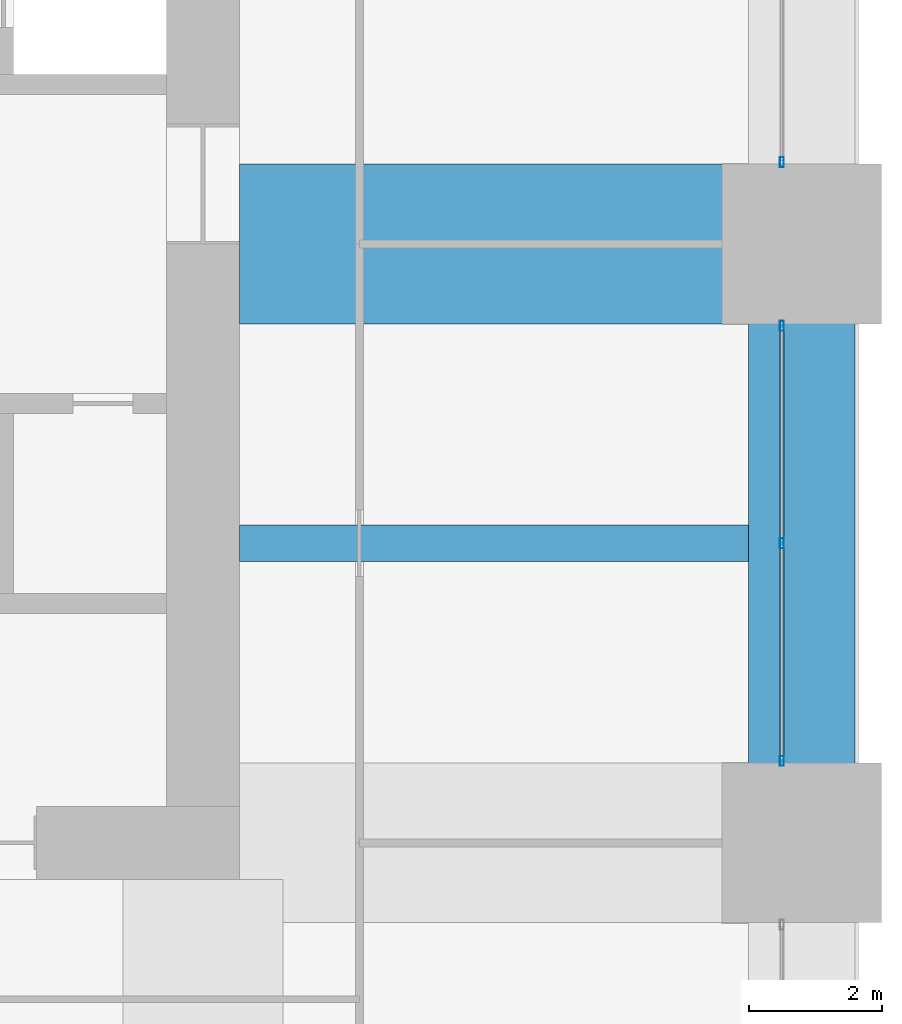
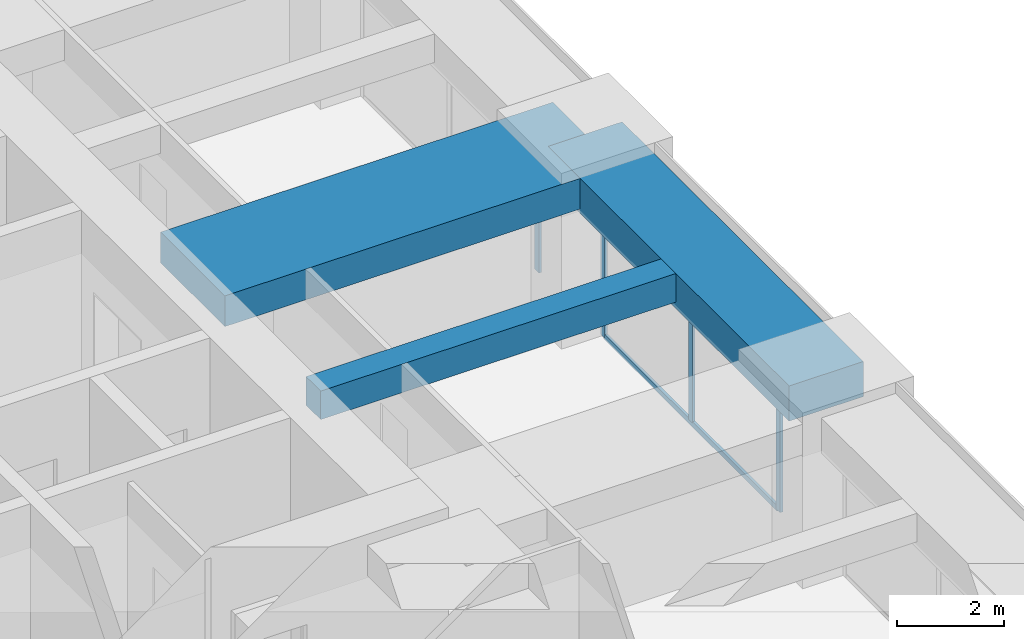
# One storey, part 18 of 35: 5 members, 3 beams, 2 elements without a shape of their own.
"""IFC4 building model written with IfcOpenShell, lengths in metres."""

from ifc_helpers import new_model, si_unit, direction, frame, origin, origin_2d, place, context, subcontext, project, spatial, rectangle, hollow_rectangle, extrude, material, material_profile, profile_set, type_object, element, aggregate, save


model = new_model("IFC4")

# Units and contexts
model_context = context("Model", 3, precision=1e-05, world=origin(), true_north=direction((0.0, 1.0)))
body_context = subcontext(model_context, "Body", "Model", "MODEL_VIEW")
ifc_project = project(units=[si_unit("LENGTHUNIT", "METRE"), si_unit("AREAUNIT", "SQUARE_METRE"), si_unit("VOLUMEUNIT", "CUBIC_METRE"), si_unit("PLANEANGLEUNIT", "RADIAN"), si_unit("MASSUNIT", "GRAM", prefix="KILO")], contexts=[model_context])

# Site, building, storey
site_placement = place(None, origin())
site = spatial("IfcSite", under=ifc_project, at=site_placement, CompositionType="ELEMENT")
building_placement = place(site_placement, origin())
building = spatial("IfcBuilding", under=site, at=building_placement, Name="Zorevar Civic Tower", CompositionType="ELEMENT")
storey_placement = place(building_placement, frame((0.0, 0.0, 218.199951171875)))
storey = spatial("IfcBuildingStorey", under=building, at=storey_placement, Name="L53", CompositionType="ELEMENT", Elevation=218.199951171875)

# Beams
ifc_material_1 = material(Name="Concrete C50/60", Category="concrete")
ifc_material_profile_1 = material_profile(ifc_material_1, rectangle(XDim=2.39990234375, YDim=0.699951171875, at=origin_2d()), Name="RC 2400x700")
ifc_profile_set_1 = profile_set([ifc_material_profile_1], Name="Concrete C50/60")
beam_type_1 = type_object("IfcBeamType", Name="Beam RC 2400x700", PredefinedType="BEAM", material=ifc_profile_set_1)
beam_1_placement = place(storey_placement, frame((45.550048828125, 27.0, 3.400146484375), z_axis=(1.0, 0.0, 0.0), x_axis=(0.0, 1.0, 0.0)))
element("IfcBeam", 1, at=beam_1_placement, inside=storey, type_object=beam_type_1, Name="Girder L54", PredefinedType="BEAM", context=body_context, shape_type="SweptSolid", body=[
    extrude(rectangle(XDim=2.39990234375, YDim=0.699951171875, at=origin_2d()), origin(), (0.0, 0.0, 1.0), 8.449951171875),
])
ifc_material_2 = material(Name="Concrete C50/60", Category="concrete")
ifc_material_profile_2 = material_profile(ifc_material_2, rectangle(XDim=0.550048828125, YDim=0.64990234375, at=origin_2d()), Name="RC 550x650")
ifc_profile_set_2 = profile_set([ifc_material_profile_2], Name="Concrete C50/60")
beam_type_2 = type_object("IfcBeamType", Name="Beam RC 550x650", PredefinedType="BEAM", material=ifc_profile_set_2)
beam_2_placement = place(storey_placement, frame((45.550048828125, 22.5, 3.425048828125), z_axis=(1.0, 0.0, 0.0), x_axis=(0.0, 1.0, 0.0)))
element("IfcBeam", 2, at=beam_2_placement, inside=storey, type_object=beam_type_2, Name="Secondary beam L54", PredefinedType="BEAM", context=body_context, shape_type="SweptSolid", body=[
    extrude(rectangle(XDim=0.550048828125, YDim=0.64990234375, at=origin_2d()), origin(), (0.0, 0.0, 1.0), 7.64990234375),
])

# Curtain wall, members
ifc_material_3 = material(Name="Dark grey solar-control glass in black aluminium frame", Category="aluminium")
curtain_wall_type = type_object("IfcCurtainWallType", Name="Curtain wall CW4 high zone", PredefinedType="NOTDEFINED", material=ifc_material_3)
curtain_wall_1_placement = place(storey_placement, origin())
curtain_wall_1 = element("IfcCurtainWall", 3, at=curtain_wall_1_placement, inside=storey, type_object=curtain_wall_type, Name="CW4 L53", PredefinedType="NOTDEFINED")
ifc_material_4 = material(Name="Aluminium, black anodised", Category="aluminium")
ifc_material_profile_3 = material_profile(ifc_material_4, hollow_rectangle(XDim=0.06005859375, YDim=0.14990234375, WallThickness=0.00390625, at=origin_2d()), Name="AL 150x60x4")
ifc_profile_set_3 = profile_set([ifc_material_profile_3], Name="Aluminium, black anodised")
member_type_1 = type_object("IfcMemberType", Name="CW4 mullion AL 150x60x4", PredefinedType="MULLION", material=ifc_profile_set_3)
member_1_placement = place(storey_placement, frame((53.699951171875, 19.22998046875, 0.0), z_axis=(0.0, 0.0, 1.0), x_axis=(-1.0, 0.0, 0.0)))
member_1 = element("IfcMember", 4, at=member_1_placement, type_object=member_type_1, Name="CW4 mullion 1", PredefinedType="MULLION", context=body_context, shape_type="SweptSolid", body=[
    extrude(hollow_rectangle(XDim=0.06005859375, YDim=0.14990234375, WallThickness=0.00390625, at=origin_2d()), origin(), (0.0, 0.0, 1.0), 2.949951171875),
])
member_2_placement = place(storey_placement, frame((53.699951171875, 22.5, 0.06005859375), z_axis=(0.0, 0.0, 1.0), x_axis=(-1.0, 0.0, 0.0)))
member_2 = element("IfcMember", 5, at=member_2_placement, type_object=member_type_1, Name="CW4 mullion 2", PredefinedType="MULLION", context=body_context, shape_type="SweptSolid", body=[
    extrude(hollow_rectangle(XDim=0.06005859375, YDim=0.14990234375, WallThickness=0.00390625, at=origin_2d()), origin(), (0.0, 0.0, 1.0), 2.889892578125),
])
member_3_placement = place(storey_placement, frame((53.699951171875, 25.77001953125, 0.0), z_axis=(0.0, 0.0, 1.0), x_axis=(-1.0, 0.0, 0.0)))
member_3 = element("IfcMember", 6, at=member_3_placement, type_object=member_type_1, Name="CW4 mullion 3", PredefinedType="MULLION", context=body_context, shape_type="SweptSolid", body=[
    extrude(hollow_rectangle(XDim=0.06005859375, YDim=0.14990234375, WallThickness=0.00390625, at=origin_2d()), origin(), (0.0, 0.0, 1.0), 2.949951171875),
])

# Curtain wall, member
curtain_wall_2_placement = place(storey_placement, origin())
curtain_wall_2 = element("IfcCurtainWall", 7, at=curtain_wall_2_placement, inside=storey, type_object=curtain_wall_type, Name="CW4 L53", PredefinedType="NOTDEFINED")
member_4_placement = place(storey_placement, frame((53.699951171875, 28.22998046875, 0.0), z_axis=(0.0, 0.0, 1.0), x_axis=(-1.0, 0.0, 0.0)))
member_4 = element("IfcMember", 8, at=member_4_placement, type_object=member_type_1, Name="CW4 mullion 1", PredefinedType="MULLION", context=body_context, shape_type="SweptSolid", body=[
    extrude(hollow_rectangle(XDim=0.06005859375, YDim=0.14990234375, WallThickness=0.00390625, at=origin_2d()), origin(), (0.0, 0.0, 1.0), 2.949951171875),
])
aggregate(curtain_wall_2, [member_4])

# Member
ifc_material_5 = material(Name="Aluminium, black anodised", Category="aluminium")
ifc_material_profile_4 = material_profile(ifc_material_5, hollow_rectangle(XDim=0.06005859375, YDim=0.1201171875, WallThickness=0.0029296875, at=origin_2d()), Name="AL 120x60x3")
ifc_profile_set_4 = profile_set([ifc_material_profile_4], Name="Aluminium, black anodised")
member_type_2 = type_object("IfcMemberType", Name="CW4 transom AL 120x60x3", PredefinedType="USERDEFINED", material=ifc_profile_set_4)
member_5_placement = place(storey_placement, frame((53.699951171875, 19.260009765625, 0.030029296875), z_axis=(0.0, 1.0, 0.0), x_axis=(-1.0, 0.0, 0.0)))
member_5 = element("IfcMember", 9, at=member_5_placement, type_object=member_type_2, Name="CW4 sill transom", ObjectType="TRANSOM", PredefinedType="USERDEFINED", context=body_context, shape_type="SweptSolid", body=[
    extrude(hollow_rectangle(XDim=0.06005859375, YDim=0.1201171875, WallThickness=0.0029296875, at=origin_2d()), origin(), (0.0, 0.0, 1.0), 6.47998046875),
])

aggregate(curtain_wall_1, [member_1, member_2, member_3, member_5])

# Beam
ifc_material_6 = material(Name="Concrete C50/60", Category="concrete")
ifc_material_profile_5 = material_profile(ifc_material_6, rectangle(XDim=1.60009765625, YDim=0.800048828125, at=origin_2d()), Name="RC 1600x800")
ifc_profile_set_5 = profile_set([ifc_material_profile_5], Name="Concrete C50/60")
beam_type_3 = type_object("IfcBeamType", Name="Edge beam RC 1600x800", PredefinedType="SPANDREL", material=ifc_profile_set_5)
beam_3_placement = place(storey_placement, frame((54.0, 18.0, 3.35009765625), z_axis=(0.0, 1.0, 0.0), x_axis=(-1.0, 0.0, 0.0)))
element("IfcBeam", 10, at=beam_3_placement, inside=storey, type_object=beam_type_3, Name="Edge beam L54", PredefinedType="SPANDREL", context=body_context, shape_type="SweptSolid", body=[
    extrude(rectangle(XDim=1.60009765625, YDim=0.800048828125, at=origin_2d()), origin(), (0.0, 0.0, 1.0), 9.0),
])

save(model, "model.ifc")
